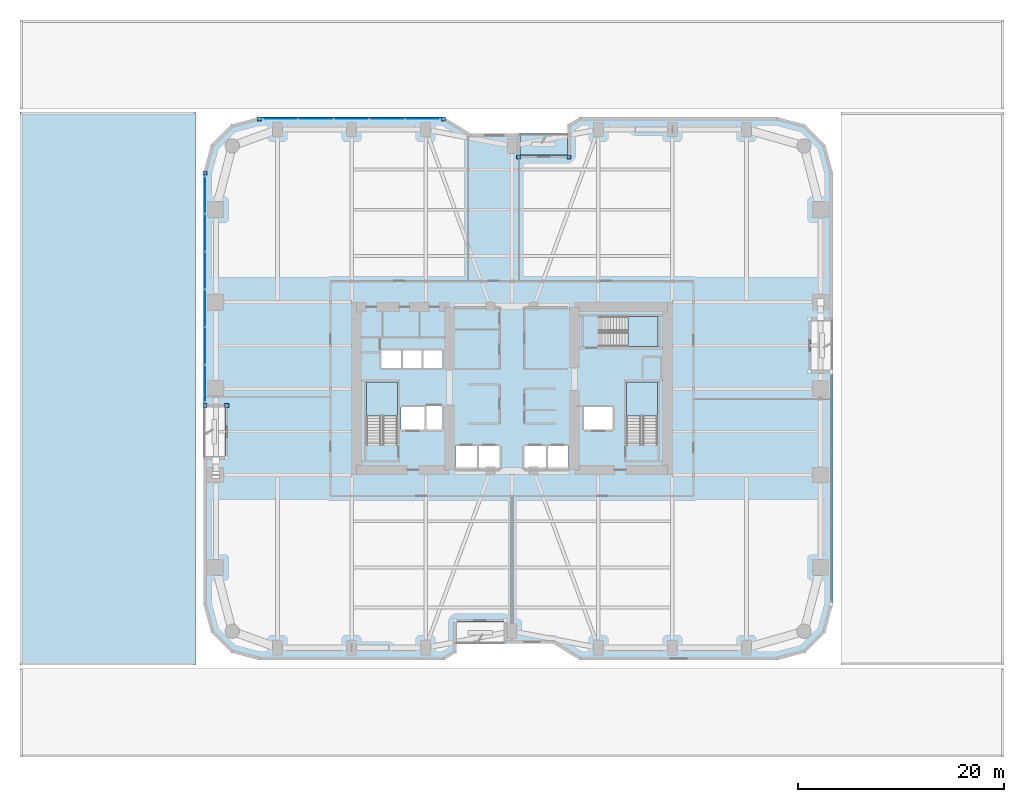
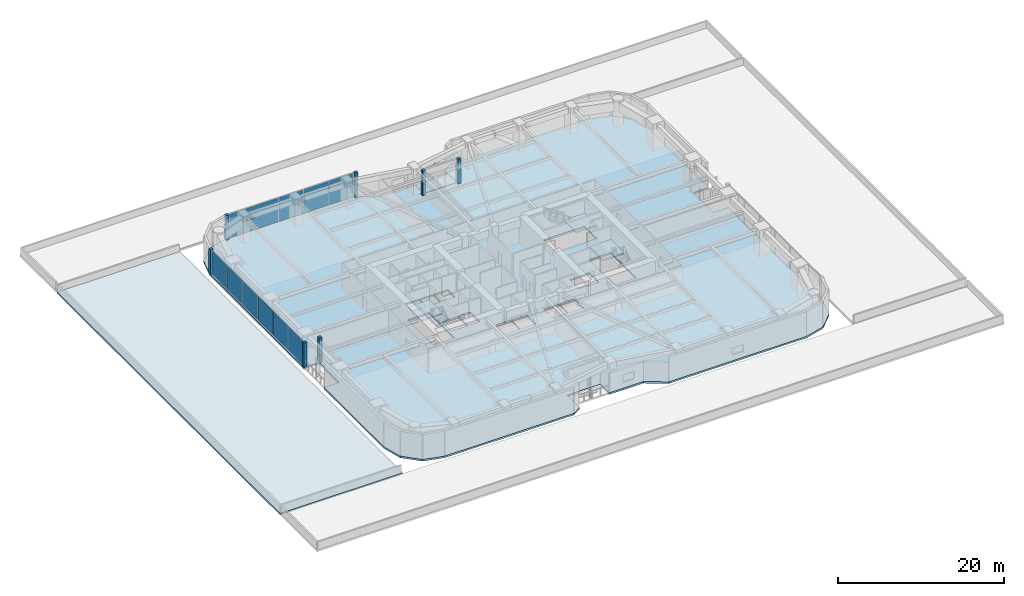
# One storey, part 23 of 38: 18 plates, 6 slabs, 5 elements without a shape of their own.
"""IFC4 building model written with IfcOpenShell, lengths in metres."""

from ifc_helpers import new_model, si_unit, direction, frame, origin, origin_2d, place, context, subcontext, project, spatial, polyline, rectangle, outline, extrude, material, layer, layer_set, type_object, element, aggregate, save


model = new_model("IFC4")

# Units and contexts
model_context = context("Model", 3, precision=1e-05, world=origin(), true_north=direction((0.0, 1.0)))
body_context = subcontext(model_context, "Body", "Model", "MODEL_VIEW")
ifc_project = project(units=[si_unit("LENGTHUNIT", "METRE"), si_unit("AREAUNIT", "SQUARE_METRE"), si_unit("VOLUMEUNIT", "CUBIC_METRE"), si_unit("PLANEANGLEUNIT", "RADIAN"), si_unit("MASSUNIT", "GRAM", prefix="KILO")], contexts=[model_context])

# Site, building, storey
site_placement = place(None, origin())
site = spatial("IfcSite", under=ifc_project, at=site_placement, CompositionType="ELEMENT")
building_placement = place(site_placement, origin())
building = spatial("IfcBuilding", under=site, at=building_placement, Name="Kiyonajd Concourse Tower", CompositionType="ELEMENT")
storey_placement = place(building_placement, frame((0.0, 0.0, 21.60009765625)))
storey = spatial("IfcBuildingStorey", under=building, at=storey_placement, Name="L06", CompositionType="ELEMENT", Elevation=21.60009765625)

# Curtain wall, plates
ifc_material_1 = material(Name="Thermally Broken Anodised Aluminium", Category="aluminium")
ifc_layer_1 = layer(ifc_material_1, 0.179931640625)
ifc_layer_set_1 = layer_set([ifc_layer_1], Name="Thermally Broken Anodised Aluminium")
curtain_wall_type = type_object("IfcCurtainWallType", Name="CW-SYS-02", PredefinedType="NOTDEFINED", material=ifc_layer_set_1)
curtain_wall_1_placement = place(storey_placement, origin())
curtain_wall_1 = element("IfcCurtainWall", 1, at=curtain_wall_1_placement, inside=storey, type_object=curtain_wall_type, Name="L06 Unitised Curtain Wall CW2", PredefinedType="NOTDEFINED")
ifc_material_2 = material(Name="Double Low-E Insulated Glass", Category="glass")
ifc_layer_2 = layer(ifc_material_2, 0.028076171875)
ifc_layer_set_2 = layer_set([ifc_layer_2], Name="Double Low-E Insulated Glass")
plate_type_1 = type_object("IfcPlateType", Name="PL-CW-VIS28", PredefinedType="CURTAIN_PANEL", material=ifc_layer_set_2)
plate_1_placement = place(storey_placement, frame((18.159912109375, 36.5029296875, 0.06494140625), z_axis=(0.0, 0.0, 1.0), x_axis=(0.0, 1.0, 0.0)))
plate_1 = element("IfcPlate", 2, at=plate_1_placement, type_object=plate_type_1, Name="CW2 panel 1.1", PredefinedType="CURTAIN_PANEL", context=body_context, shape_type="SweptSolid", body=[
    extrude(rectangle(XDim=3.57568359375, YDim=0.028076171875, at=origin_2d()), origin(), (0.0, 0.0, 1.0), 3.510009765625),
])
plate_2_placement = place(storey_placement, frame((18.159912109375, 40.15966796875, 0.06494140625), z_axis=(0.0, 0.0, 1.0), x_axis=(0.0, 1.0, 0.0)))
plate_2 = element("IfcPlate", 3, at=plate_2_placement, type_object=plate_type_1, Name="CW2 panel 2.1", PredefinedType="CURTAIN_PANEL", context=body_context, shape_type="SweptSolid", body=[
    extrude(rectangle(XDim=3.608154296875, YDim=0.028076171875, at=origin_2d()), origin(), (0.0, 0.0, 1.0), 3.510009765625),
])
plate_3_placement = place(storey_placement, frame((18.159912109375, 43.832763671875, 0.06494140625), z_axis=(0.0, 0.0, 1.0), x_axis=(0.0, 1.0, 0.0)))
plate_3 = element("IfcPlate", 4, at=plate_3_placement, type_object=plate_type_1, Name="CW2 panel 3.1", PredefinedType="CURTAIN_PANEL", context=body_context, shape_type="SweptSolid", body=[
    extrude(rectangle(XDim=3.608154296875, YDim=0.028076171875, at=origin_2d()), origin(), (0.0, 0.0, 1.0), 3.510009765625),
])
plate_4_placement = place(storey_placement, frame((18.159912109375, 47.506103515625, 0.06494140625), z_axis=(0.0, 0.0, 1.0), x_axis=(0.0, 1.0, 0.0)))
plate_4 = element("IfcPlate", 5, at=plate_4_placement, type_object=plate_type_1, Name="CW2 panel 4.1", PredefinedType="CURTAIN_PANEL", context=body_context, shape_type="SweptSolid", body=[
    extrude(rectangle(XDim=3.608154296875, YDim=0.028076171875, at=origin_2d()), origin(), (0.0, 0.0, 1.0), 3.510009765625),
])
plate_5_placement = place(storey_placement, frame((18.159912109375, 51.17919921875, 0.06494140625), z_axis=(0.0, 0.0, 1.0), x_axis=(0.0, 1.0, 0.0)))
plate_5 = element("IfcPlate", 6, at=plate_5_placement, type_object=plate_type_1, Name="CW2 panel 5.1", PredefinedType="CURTAIN_PANEL", context=body_context, shape_type="SweptSolid", body=[
    extrude(rectangle(XDim=3.608154296875, YDim=0.028076171875, at=origin_2d()), origin(), (0.0, 0.0, 1.0), 3.510009765625),
])
plate_6_placement = place(storey_placement, frame((18.159912109375, 54.836181640625, 0.06494140625), z_axis=(0.0, 0.0, 1.0), x_axis=(0.0, 1.0, 0.0)))
plate_6 = element("IfcPlate", 7, at=plate_6_placement, type_object=plate_type_1, Name="CW2 panel 6.1", PredefinedType="CURTAIN_PANEL", context=body_context, shape_type="SweptSolid", body=[
    extrude(rectangle(XDim=3.57568359375, YDim=0.028076171875, at=origin_2d()), origin(), (0.0, 0.0, 1.0), 3.510009765625),
])
aggregate(curtain_wall_1, [plate_1, plate_2, plate_3, plate_4, plate_5, plate_6])

curtain_wall_2_placement = place(storey_placement, origin())
curtain_wall_2 = element("IfcCurtainWall", 8, at=curtain_wall_2_placement, inside=storey, type_object=curtain_wall_type, Name="L06 Unitised Curtain Wall CW2", PredefinedType="NOTDEFINED")
plate_7_placement = place(storey_placement, frame((25.462646484375, 62.239990234375, 0.06494140625), z_axis=(0.0, 0.0, 1.0), x_axis=(1.0, 0.0, 0.0)))
plate_7 = element("IfcPlate", 9, at=plate_7_placement, type_object=plate_type_1, Name="CW2 panel 1.1", PredefinedType="CURTAIN_PANEL", context=body_context, shape_type="SweptSolid", body=[
    extrude(rectangle(XDim=3.373291015625, YDim=0.028076171875, at=origin_2d()), origin(), (0.0, 0.0, 1.0), 3.510009765625),
])
plate_8_placement = place(storey_placement, frame((28.917236328125, 62.239990234375, 0.06494140625), z_axis=(0.0, 0.0, 1.0), x_axis=(1.0, 0.0, 0.0)))
plate_8 = element("IfcPlate", 10, at=plate_8_placement, type_object=plate_type_1, Name="CW2 panel 2.1", PredefinedType="CURTAIN_PANEL", context=body_context, shape_type="SweptSolid", body=[
    extrude(rectangle(XDim=3.40576171875, YDim=0.028076171875, at=origin_2d()), origin(), (0.0, 0.0, 1.0), 3.510009765625),
])
plate_9_placement = place(storey_placement, frame((32.387939453125, 62.239990234375, 0.06494140625), z_axis=(0.0, 0.0, 1.0), x_axis=(1.0, 0.0, 0.0)))
plate_9 = element("IfcPlate", 11, at=plate_9_placement, type_object=plate_type_1, Name="CW2 panel 3.1", PredefinedType="CURTAIN_PANEL", context=body_context, shape_type="SweptSolid", body=[
    extrude(rectangle(XDim=3.40576171875, YDim=0.028076171875, at=origin_2d()), origin(), (0.0, 0.0, 1.0), 3.510009765625),
])
plate_10_placement = place(storey_placement, frame((35.858642578125, 62.239990234375, 0.06494140625), z_axis=(0.0, 0.0, 1.0), x_axis=(1.0, 0.0, 0.0)))
plate_10 = element("IfcPlate", 12, at=plate_10_placement, type_object=plate_type_1, Name="CW2 panel 4.1", PredefinedType="CURTAIN_PANEL", context=body_context, shape_type="SweptSolid", body=[
    extrude(rectangle(XDim=3.40576171875, YDim=0.028076171875, at=origin_2d()), origin(), (0.0, 0.0, 1.0), 3.510009765625),
])
plate_11_placement = place(storey_placement, frame((39.31298828125, 62.239990234375, 0.06494140625), z_axis=(0.0, 0.0, 1.0), x_axis=(1.0, 0.0, 0.0)))
plate_11 = element("IfcPlate", 13, at=plate_11_placement, type_object=plate_type_1, Name="CW2 panel 5.1", PredefinedType="CURTAIN_PANEL", context=body_context, shape_type="SweptSolid", body=[
    extrude(rectangle(XDim=3.373291015625, YDim=0.028076171875, at=origin_2d()), origin(), (0.0, 0.0, 1.0), 3.510009765625),
])
aggregate(curtain_wall_2, [plate_7, plate_8, plate_9, plate_10, plate_11])

# Plates
ifc_layer_3 = layer(ifc_material_1, 0.39990234375)
ifc_layer_set_3 = layer_set([ifc_layer_3], Name="Thermally Broken Anodised Aluminium")
plate_type_2 = type_object("IfcPlateType", Name="PL-JMB-400", PredefinedType="USERDEFINED", material=ifc_layer_set_3)
for number, where, z_axis, x_axis, name in (
    (14, (20.260009765625, 34.360107421875, 0.0), (0.0, 0.0, 1.0), (1.0, 0.0, 0.0), "L06 Facade Jamb Closure Plate 02"),
    (15, (18.159912109375, 34.360107421875, 0.0), (0.0, 0.0, 1.0), (1.0, 0.0, 0.0), "L06 Facade Jamb Closure Plate 03"),
    (16, (18.159912109375, 56.97900390625, 0.0), (0.0, 0.0, 1.0), (1.0, 0.0, 0.0), "L06 Facade Jamb Closure Plate 04"),
    (17, (23.421142578125, 62.239990234375, 0.0), (0.0, 0.0, 1.0), (1.0, 0.0, 0.0), "L06 Facade Jamb Closure Plate 05"),
    (18, (41.354736328125, 62.239990234375, 0.0), (0.0, 0.0, 1.0), (1.0, 0.0, 0.0), "L06 Facade Jamb Closure Plate 06"),
    (19, (48.639892578125, 58.5400390625, 0.0), (0.0, 0.0, 1.0), (1.0, 0.0, 0.0), "L06 Facade Jamb Closure Plate 07"),
    (20, (53.56005859375, 58.5400390625, 0.0), (0.0, 0.0, 1.0), (1.0, 0.0, 0.0), "L06 Facade Jamb Closure Plate 08"),
):
    element("IfcPlate", number, at=place(storey_placement, frame(where, z_axis=z_axis, x_axis=x_axis)), inside=storey, type_object=plate_type_2, Name=name, ObjectType="JAMB PLATE", PredefinedType="USERDEFINED", context=body_context, shape_type="SweptSolid", body=[
        extrude(rectangle(XDim=0.39990234375, YDim=0.39990234375, at=origin_2d()), origin(), (0.0, 0.0, 1.0), 3.639892578125),
    ])

# Stair, slab
ifc_material_3 = material(Name="Concrete C40/50", Category="concrete")
stair_type = type_object("IfcStairType", Name="ST-DLG-22R", PredefinedType="HALF_TURN_STAIR", material=ifc_material_3)
stair_1_placement = place(storey_placement, origin())
stair_1 = element("IfcStair", 21, at=stair_1_placement, inside=storey, type_object=stair_type, Name="L06 Protected Exit Stair ST1", PredefinedType="HALF_TURN_STAIR")
ifc_layer_4 = layer(ifc_material_3, 0.199951171875)
ifc_layer_set_4 = layer_set([ifc_layer_4], Name="Concrete C40/50")
slab_type_1 = type_object("IfcSlabType", Name="SL-LND-200", PredefinedType="LANDING", material=ifc_layer_set_4)
slab_1_placement = place(storey_placement, frame((0.0, 0.0, 1.75)))
slab_1 = element("IfcSlab", 22, at=slab_1_placement, type_object=slab_type_1, Name="ST1 landing 1", PredefinedType="LANDING", context=body_context, shape_type="SweptSolid", body=[
    extrude(outline(polyline([(36.85009765625, 33.35009765625), (36.85009765625, 36.64990234375), (33.85009765625, 36.64990234375), (33.85009765625, 33.35009765625), (36.85009765625, 33.35009765625)])), origin(), (0.0, 0.0, 1.0), 0.199951171875),
])
aggregate(stair_1, [slab_1])

stair_2_placement = place(storey_placement, origin())
stair_2 = element("IfcStair", 23, at=stair_2_placement, inside=storey, type_object=stair_type, Name="L06 Protected Exit Stair ST2", PredefinedType="HALF_TURN_STAIR")
slab_2_placement = place(storey_placement, frame((0.0, 0.0, 1.75)))
slab_2 = element("IfcSlab", 24, at=slab_2_placement, type_object=slab_type_1, Name="ST2 landing 1", PredefinedType="LANDING", context=body_context, shape_type="SweptSolid", body=[
    extrude(outline(polyline([(62.14990234375, 33.35009765625), (62.14990234375, 36.64990234375), (59.14990234375, 36.64990234375), (59.14990234375, 33.35009765625), (62.14990234375, 33.35009765625)])), origin(), (0.0, 0.0, 1.0), 0.199951171875),
])
aggregate(stair_2, [slab_2])

stair_3_placement = place(storey_placement, origin())
stair_3 = element("IfcStair", 25, at=stair_3_placement, inside=storey, type_object=stair_type, Name="L06 Protected Exit Stair ST3", PredefinedType="HALF_TURN_STAIR")
slab_3_placement = place(storey_placement, frame((0.0, 0.0, 1.75)))
slab_3 = element("IfcSlab", 26, at=slab_3_placement, type_object=slab_type_1, Name="ST3 landing 1", PredefinedType="LANDING", context=body_context, shape_type="SweptSolid", body=[
    extrude(outline(polyline([(59.280029296875, 40.080078125), (62.179931640625, 40.080078125), (62.179931640625, 43.02001953125), (59.280029296875, 43.02001953125), (59.280029296875, 40.080078125)])), origin(), (0.0, 0.0, 1.0), 0.199951171875),
])
aggregate(stair_3, [slab_3])

# Slabs
ifc_material_4 = material(Name="Precast concrete C50/60", Category="concrete")
ifc_layer_5 = layer(ifc_material_4, 0.199951171875)
ifc_layer_set_5 = layer_set([ifc_layer_5], Name="Precast concrete C50/60")
slab_type_2 = type_object("IfcSlabType", Name="SL-LOG-200", PredefinedType="FLOOR", material=ifc_layer_set_5)
slab_4_placement = place(storey_placement, frame((0.0, 0.0, -0.2001953125)))
element("IfcSlab", 27, at=slab_4_placement, inside=storey, type_object=slab_type_2, Name="L06 Recessed Engawa Loggia Terrace Slab LOG-N", PredefinedType="FLOOR", context=body_context, shape_type="SweptSolid", body=[
    extrude(outline(polyline([(48.800048828125, 58.699951171875), (53.39990234375, 58.699951171875), (53.39990234375, 60.800048828125), (48.800048828125, 60.800048828125), (48.800048828125, 58.699951171875)])), origin(), (0.0, 0.0, 1.0), 0.2001953125),
])
ifc_layer_6 = layer(ifc_material_3, 0.239990234375)
ifc_layer_set_6 = layer_set([ifc_layer_6], Name="Concrete C40/50")
slab_type_3 = type_object("IfcSlabType", Name="SL-TERR-240", PredefinedType="ROOF", material=ifc_layer_set_6)
slab_5_placement = place(storey_placement, frame((0.0, 0.0, -0.239990234375)))
element("IfcSlab", 28, at=slab_5_placement, inside=storey, type_object=slab_type_3, Name="L06 Setback Maintenance Roof Slab 3", PredefinedType="ROOF", context=body_context, shape_type="SweptSolid", body=[
    extrude(outline(polyline([(0.14990234375, 62.89990234375), (17.199951171875, 62.89990234375), (17.199951171875, 9.10009765625), (0.14990234375, 9.10009765625), (0.14990234375, 62.89990234375)])), origin(), (0.0, 0.0, 1.0), 0.239990234375),
])
ifc_layer_7 = layer(ifc_material_3, 0.260009765625)
ifc_layer_set_7 = layer_set([ifc_layer_7], Name="Concrete C40/50")
slab_type_4 = type_object("IfcSlabType", Name="SL-TWR-260", PredefinedType="FLOOR", material=ifc_layer_set_7)
slab_6_placement = place(storey_placement, frame((0.0, 0.0, -0.260009765625)))
element("IfcSlab", 29, at=slab_6_placement, inside=storey, type_object=slab_type_4, Name="L06 Tower Conditioned Floor Slab", PredefinedType="FLOOR", context=body_context, shape_type="SweptSolid", body=[
    extrude(outline(polyline([(18.722900390625, 12.300048828125), (18.0, 15.0), (18.0, 29.39990234375), (20.10009765625, 29.39990234375), (20.10009765625, 34.199951171875), (18.0, 34.199951171875), (18.0, 57.0), (18.722900390625, 59.699951171875), (20.699951171875, 61.677001953125), (23.39990234375, 62.39990234375), (41.39990234375, 62.39990234375), (44.0, 60.800048828125), (48.800048828125, 60.800048828125), (48.800048828125, 58.699951171875), (53.39990234375, 58.699951171875), (53.39990234375, 61.662109375), (54.60009765625, 62.39990234375), (73.800048828125, 62.39990234375), (76.5, 61.677001953125), (78.47705078125, 59.699951171875), (79.199951171875, 57.0), (79.199951171875, 42.60009765625), (77.10009765625, 42.60009765625), (77.10009765625, 37.800048828125), (79.199951171875, 37.800048828125), (79.199951171875, 15.0), (78.47705078125, 12.300048828125), (76.5, 10.322998046875), (73.800048828125, 9.60009765625), (54.60009765625, 9.60009765625), (52.0, 11.199951171875), (47.199951171875, 11.199951171875), (47.199951171875, 13.300048828125), (42.60009765625, 13.300048828125), (42.60009765625, 10.337890625), (41.39990234375, 9.60009765625), (23.39990234375, 9.60009765625), (20.699951171875, 10.322998046875), (18.722900390625, 12.300048828125)]), holes=[polyline([(44.60009765625, 28.199951171875), (42.5, 28.199951171875), (42.5, 30.39990234375), (44.60009765625, 30.39990234375), (44.60009765625, 28.199951171875)]), polyline([(37.199951171875, 32.0), (37.199951171875, 34.199951171875), (39.5, 34.199951171875), (39.5, 32.0), (37.199951171875, 32.0)]), polyline([(39.60009765625, 32.0), (39.60009765625, 34.300048828125), (41.199951171875, 34.300048828125), (41.199951171875, 32.0), (39.60009765625, 32.0)]), polyline([(36.85009765625, 30.550048828125), (33.85009765625, 30.550048828125), (33.85009765625, 36.64990234375), (36.85009765625, 36.64990234375), (36.85009765625, 30.550048828125)]), polyline([(35.300048828125, 38.0), (35.300048828125, 39.699951171875), (37.199951171875, 39.699951171875), (37.199951171875, 38.0), (35.300048828125, 38.0)]), polyline([(37.300048828125, 38.0), (37.300048828125, 39.699951171875), (39.199951171875, 39.699951171875), (39.199951171875, 38.0), (37.300048828125, 38.0)]), polyline([(41.199951171875, 38.0), (39.300048828125, 38.0), (39.300048828125, 39.699951171875), (41.199951171875, 39.699951171875), (41.199951171875, 38.0)]), polyline([(44.699951171875, 28.199951171875), (44.699951171875, 30.39990234375), (46.800048828125, 30.39990234375), (46.800048828125, 28.199951171875), (44.699951171875, 28.199951171875)]), polyline([(49.199951171875, 28.199951171875), (49.199951171875, 30.39990234375), (51.300048828125, 30.39990234375), (51.300048828125, 28.199951171875), (49.199951171875, 28.199951171875)]), polyline([(51.39990234375, 28.199951171875), (51.39990234375, 30.39990234375), (53.5, 30.39990234375), (53.5, 28.199951171875), (51.39990234375, 28.199951171875)]), polyline([(55.0, 32.0), (55.0, 34.199951171875), (57.800048828125, 34.199951171875), (57.800048828125, 32.0), (55.0, 32.0)]), polyline([(59.14990234375, 30.550048828125), (59.14990234375, 36.64990234375), (62.14990234375, 36.64990234375), (62.14990234375, 30.550048828125), (59.14990234375, 30.550048828125)]), polyline([(56.47998046875, 43.02001953125), (62.179931640625, 43.02001953125), (62.179931640625, 40.080078125), (56.47998046875, 40.080078125), (56.47998046875, 43.02001953125)])]), origin(), (0.0, 0.0, 1.0), 0.260009765625),
])

save(model, "model.ifc")
